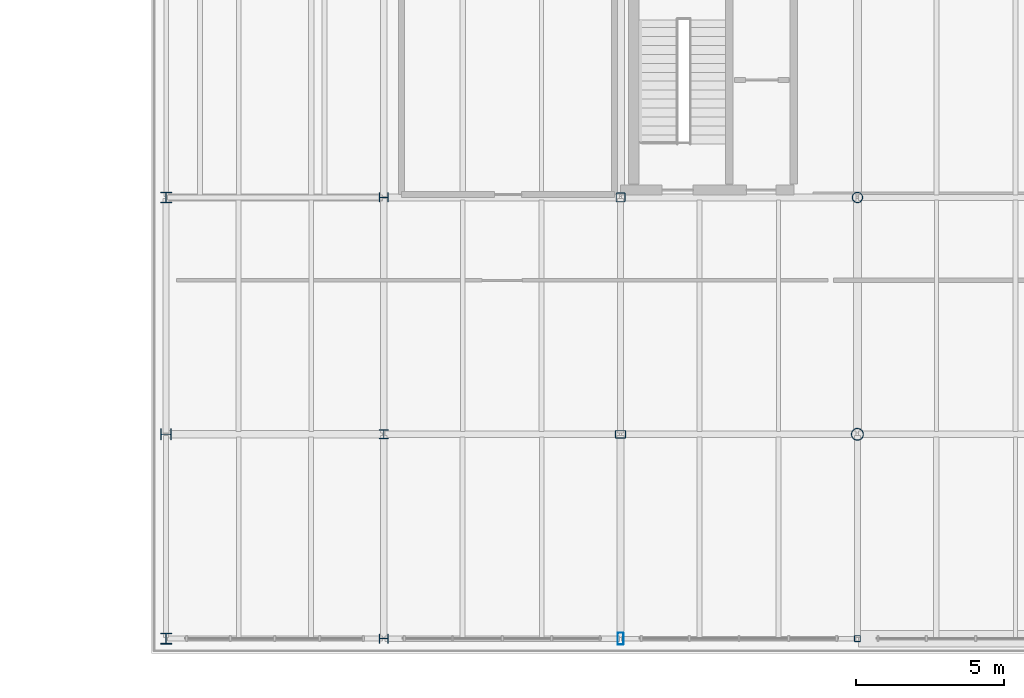
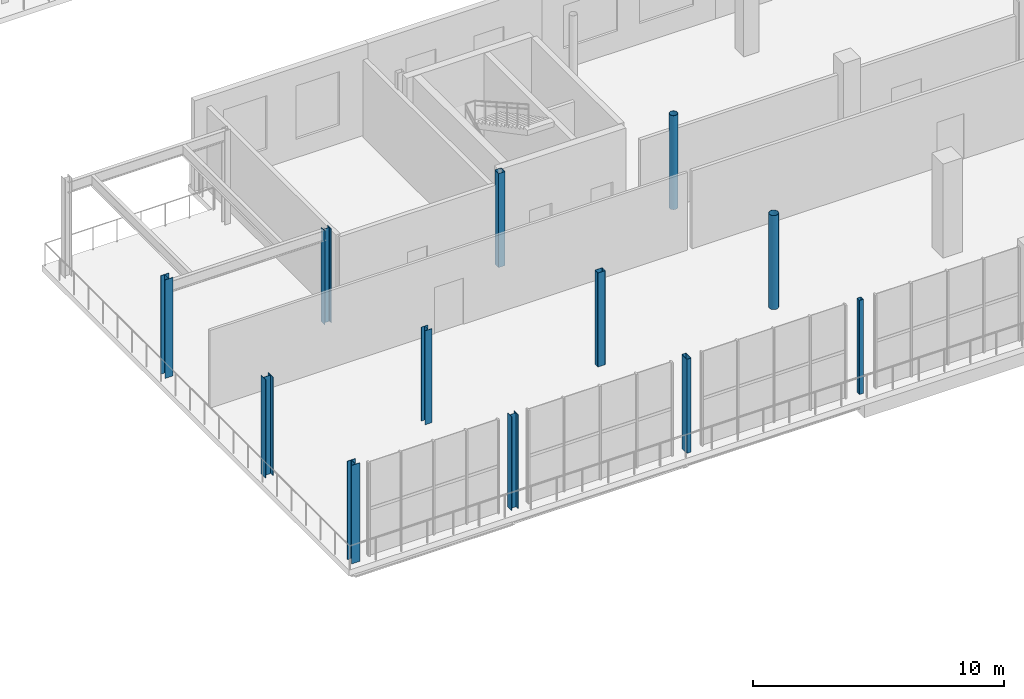
# One storey, part 9 of 70: 12 columns.
"""IFC4 building model written with IfcOpenShell, lengths in metres."""

from ifc_helpers import new_model, si_unit, direction, frame, origin, origin_2d, place, context, subcontext, project, spatial, hollow_rectangle, hollow_circle, i_section, extrude, material, material_profile, profile_set, type_object, element, save


model = new_model("IFC4")

# Units and contexts
model_context = context("Model", 3, precision=1e-05, world=origin(), true_north=direction((0.0, 1.0)))
body_context = subcontext(model_context, "Body", "Model", "MODEL_VIEW")
ifc_project = project(units=[si_unit("LENGTHUNIT", "METRE"), si_unit("AREAUNIT", "SQUARE_METRE"), si_unit("VOLUMEUNIT", "CUBIC_METRE"), si_unit("PLANEANGLEUNIT", "RADIAN"), si_unit("MASSUNIT", "GRAM", prefix="KILO")], contexts=[model_context])

# Site, building, storey
site_placement = place(None, origin())
site = spatial("IfcSite", under=ifc_project, at=site_placement, CompositionType="ELEMENT")
building_placement = place(site_placement, origin())
building = spatial("IfcBuilding", under=site, at=building_placement, Name="Brisemont Oceanarium", CompositionType="ELEMENT")
storey_placement = place(building_placement, frame((0.0, 0.0, 10.199951171875)))
storey = spatial("IfcBuildingStorey", under=building, at=storey_placement, Name="L02", CompositionType="ELEMENT", Elevation=10.199951171875)

# Columns
ifc_material_1 = material(Name="Structural Steel ASTM A500 Gr.C", Category="steel")
ifc_material_profile_1 = material_profile(ifc_material_1, hollow_circle(Radius=0.177978515625, WallThickness=0.01171875, at=origin_2d()), Name="HSS14.000X0.500")
ifc_profile_set_1 = profile_set([ifc_material_profile_1], Name="Structural Steel ASTM A500 Gr.C")
column_type_1 = type_object("IfcColumnType", Name="COL-CHS14", PredefinedType="COLUMN", material=ifc_profile_set_1)
column_1_placement = place(storey_placement, frame((136.0, 16.0, 0.0), z_axis=(0.0, 0.0, 1.0), x_axis=(0.0, 1.0, 0.0)))
element("IfcColumn", 1, at=column_1_placement, inside=storey, type_object=column_type_1, Name="V3 L02 column (3,2)", PredefinedType="COLUMN", context=body_context, shape_type="SweptSolid", body=[
    extrude(hollow_circle(Radius=0.177978515625, WallThickness=0.01171875, at=origin_2d()), origin(), (0.0, 0.0, 1.0), 4.580078125),
])
ifc_material_2 = material(Name="Structural Steel ASTM A500 Gr.C", Category="steel")
ifc_material_profile_2 = material_profile(ifc_material_2, hollow_circle(Radius=0.202880859375, WallThickness=0.01171875, at=origin_2d()), Name="HSS16.000X0.500")
ifc_profile_set_2 = profile_set([ifc_material_profile_2], Name="Structural Steel ASTM A500 Gr.C")
column_type_2 = type_object("IfcColumnType", Name="COL-CHS16", PredefinedType="COLUMN", material=ifc_profile_set_2)
column_2_placement = place(storey_placement, frame((136.0, 8.0, 0.0), z_axis=(0.0, 0.0, 1.0), x_axis=(1.0, 0.0, 0.0)))
element("IfcColumn", 2, at=column_2_placement, inside=storey, type_object=column_type_2, Name="V3 L02 column (3,1)", PredefinedType="COLUMN", context=body_context, shape_type="SweptSolid", body=[
    extrude(hollow_circle(Radius=0.202880859375, WallThickness=0.01171875, at=origin_2d()), origin(), (0.0, 0.0, 1.0), 4.580078125),
])
ifc_material_3 = material(Name="Structural Steel ASTM A500 Gr.C", Category="steel")
ifc_material_profile_3 = material_profile(ifc_material_3, hollow_rectangle(XDim=0.304931640625, YDim=0.304931640625, WallThickness=0.01171875, InnerFilletRadius=0.01220703125, OuterFilletRadius=0.02392578125, at=origin_2d()), Name="HSS12X12X1/2")
ifc_profile_set_3 = profile_set([ifc_material_profile_3], Name="Structural Steel ASTM A500 Gr.C")
column_type_3 = type_object("IfcColumnType", Name="COL-HSS12X12", PredefinedType="COLUMN", material=ifc_profile_set_3)
column_3_placement = place(storey_placement, frame((128.0, 16.0, 0.0), z_axis=(0.0, 0.0, 1.0), x_axis=(1.0, 0.0, 0.0)))
element("IfcColumn", 3, at=column_3_placement, inside=storey, type_object=column_type_3, Name="V3 L02 column (2,2)", PredefinedType="COLUMN", context=body_context, shape_type="SweptSolid", body=[
    extrude(hollow_rectangle(XDim=0.304931640625, YDim=0.304931640625, WallThickness=0.01171875, InnerFilletRadius=0.01220703125, OuterFilletRadius=0.02392578125, at=origin_2d()), origin(), (0.0, 0.0, 1.0), 4.580078125),
])
ifc_material_4 = material(Name="Structural Steel ASTM A500 Gr.C", Category="steel")
ifc_material_profile_4 = material_profile(ifc_material_4, hollow_rectangle(XDim=0.25390625, YDim=0.35595703125, WallThickness=0.01171875, InnerFilletRadius=0.01220703125, OuterFilletRadius=0.02392578125, at=origin_2d()), Name="HSS14X10X1/2")
ifc_profile_set_4 = profile_set([ifc_material_profile_4], Name="Structural Steel ASTM A500 Gr.C")
column_type_4 = type_object("IfcColumnType", Name="COL-HSS14X10", PredefinedType="COLUMN", material=ifc_profile_set_4)
column_4_placement = place(storey_placement, frame((128.0, 8.0, 0.0), z_axis=(0.0, 0.0, 1.0), x_axis=(0.0, 1.0, 0.0)))
element("IfcColumn", 4, at=column_4_placement, inside=storey, type_object=column_type_4, Name="V3 L02 column (2,1)", PredefinedType="COLUMN", context=body_context, shape_type="SweptSolid", body=[
    extrude(hollow_rectangle(XDim=0.25390625, YDim=0.35595703125, WallThickness=0.01171875, InnerFilletRadius=0.01220703125, OuterFilletRadius=0.02392578125, at=origin_2d()), origin(), (0.0, 0.0, 1.0), 4.580078125),
])
ifc_material_5 = material(Name="Structural Steel ASTM A500 Gr.C", Category="steel")
ifc_material_profile_5 = material_profile(ifc_material_5, hollow_rectangle(XDim=0.202880859375, YDim=0.406005859375, WallThickness=0.01171875, InnerFilletRadius=0.01220703125, OuterFilletRadius=0.02392578125, at=origin_2d()), Name="HSS16X8X1/2")
ifc_profile_set_5 = profile_set([ifc_material_profile_5], Name="Structural Steel ASTM A500 Gr.C")
column_type_5 = type_object("IfcColumnType", Name="COL-HSS16X8", PredefinedType="COLUMN", material=ifc_profile_set_5)
column_5_placement = place(storey_placement, frame((128.0, 1.10009765625, 0.0), z_axis=(0.0, 0.0, 1.0), x_axis=(1.0, 0.0, 0.0)))
element("IfcColumn", 5, at=column_5_placement, inside=storey, type_object=column_type_5, Name="V3 L02 column (2,0)", PredefinedType="COLUMN", context=body_context, shape_type="SweptSolid", body=[
    extrude(hollow_rectangle(XDim=0.202880859375, YDim=0.406005859375, WallThickness=0.01171875, InnerFilletRadius=0.01220703125, OuterFilletRadius=0.02392578125, at=origin_2d()), origin(), (0.0, 0.0, 1.0), 4.580078125),
])
ifc_material_6 = material(Name="Structural Steel ASTM A500 Gr.C", Category="steel")
ifc_material_profile_6 = material_profile(ifc_material_6, hollow_rectangle(XDim=0.202880859375, YDim=0.202880859375, WallThickness=0.0087890625, InnerFilletRadius=0.009033203125, OuterFilletRadius=0.01806640625, at=origin_2d()), Name="HSS8X8X3/8")
ifc_profile_set_6 = profile_set([ifc_material_profile_6], Name="Structural Steel ASTM A500 Gr.C")
column_type_6 = type_object("IfcColumnType", Name="COL-HSS8X8", PredefinedType="COLUMN", material=ifc_profile_set_6)
column_6_placement = place(storey_placement, frame((136.0, 1.10009765625, 0.0), z_axis=(0.0, 0.0, 1.0), x_axis=(0.0, 1.0, 0.0)))
element("IfcColumn", 6, at=column_6_placement, inside=storey, type_object=column_type_6, Name="V3 L02 column (3,0)", PredefinedType="COLUMN", context=body_context, shape_type="SweptSolid", body=[
    extrude(hollow_rectangle(XDim=0.202880859375, YDim=0.202880859375, WallThickness=0.0087890625, InnerFilletRadius=0.009033203125, OuterFilletRadius=0.01806640625, at=origin_2d()), origin(), (0.0, 0.0, 1.0), 4.580078125),
])
ifc_material_7 = material(Name="Structural Steel ASTM A992 Gr.50", Category="steel")
ifc_material_profile_7 = material_profile(ifc_material_7, i_section(OverallWidth=0.304931640625, OverallDepth=0.306884765625, WebThickness=0.010009765625, FlangeThickness=0.015380859375, FilletRadius=0.012939453125, at=origin_2d()), Name="W12X65")
ifc_profile_set_7 = profile_set([ifc_material_profile_7], Name="Structural Steel ASTM A992 Gr.50")
column_type_7 = type_object("IfcColumnType", Name="COL-W12X65", PredefinedType="COLUMN", material=ifc_profile_set_7)
column_7_placement = place(storey_placement, frame((120.0, 16.0, 0.0), z_axis=(0.0, 0.0, 1.0), x_axis=(0.0, 1.0, 0.0)))
element("IfcColumn", 7, at=column_7_placement, inside=storey, type_object=column_type_7, Name="V3 L02 column (1,2)", PredefinedType="COLUMN", context=body_context, shape_type="SweptSolid", body=[
    extrude(i_section(OverallWidth=0.304931640625, OverallDepth=0.306884765625, WebThickness=0.010009765625, FlangeThickness=0.015380859375, FilletRadius=0.012939453125, at=origin_2d()), origin(), (0.0, 0.0, 1.0), 4.580078125),
])
ifc_material_8 = material(Name="Structural Steel ASTM A992 Gr.50", Category="steel")
ifc_material_profile_8 = material_profile(ifc_material_8, i_section(OverallWidth=0.305908203125, OverallDepth=0.31103515625, WebThickness=0.010986328125, FlangeThickness=0.01708984375, FilletRadius=0.012939453125, at=origin_2d()), Name="W12X72")
ifc_profile_set_8 = profile_set([ifc_material_profile_8], Name="Structural Steel ASTM A992 Gr.50")
column_type_8 = type_object("IfcColumnType", Name="COL-W12X72", PredefinedType="COLUMN", material=ifc_profile_set_8)
column_8_placement = place(storey_placement, frame((120.0, 8.0, 0.0), z_axis=(0.0, 0.0, 1.0), x_axis=(1.0, 0.0, 0.0)))
element("IfcColumn", 8, at=column_8_placement, inside=storey, type_object=column_type_8, Name="V3 L02 column (1,1)", PredefinedType="COLUMN", context=body_context, shape_type="SweptSolid", body=[
    extrude(i_section(OverallWidth=0.305908203125, OverallDepth=0.31103515625, WebThickness=0.010986328125, FlangeThickness=0.01708984375, FilletRadius=0.012939453125, at=origin_2d()), origin(), (0.0, 0.0, 1.0), 4.580078125),
])
ifc_material_9 = material(Name="Structural Steel ASTM A992 Gr.50", Category="steel")
ifc_material_profile_9 = material_profile(ifc_material_9, i_section(OverallWidth=0.306884765625, OverallDepth=0.31494140625, WebThickness=0.011962890625, FlangeThickness=0.018798828125, FilletRadius=0.012939453125, at=origin_2d()), Name="W12X79")
ifc_profile_set_9 = profile_set([ifc_material_profile_9], Name="Structural Steel ASTM A992 Gr.50")
column_type_9 = type_object("IfcColumnType", Name="COL-W12X79", PredefinedType="COLUMN", material=ifc_profile_set_9)
column_9_placement = place(storey_placement, frame((120.0, 1.10009765625, 0.0), z_axis=(0.0, 0.0, 1.0), x_axis=(0.0, 1.0, 0.0)))
element("IfcColumn", 9, at=column_9_placement, inside=storey, type_object=column_type_9, Name="V3 L02 column (1,0)", PredefinedType="COLUMN", context=body_context, shape_type="SweptSolid", body=[
    extrude(i_section(OverallWidth=0.306884765625, OverallDepth=0.31494140625, WebThickness=0.011962890625, FlangeThickness=0.018798828125, FilletRadius=0.012939453125, at=origin_2d()), origin(), (0.0, 0.0, 1.0), 4.580078125),
])
ifc_material_10 = material(Name="Structural Steel ASTM A992 Gr.50", Category="steel")
ifc_material_profile_10 = material_profile(ifc_material_10, i_section(OverallWidth=0.37109375, OverallDepth=0.364013671875, WebThickness=0.01318359375, FlangeThickness=0.021728515625, FilletRadius=0.014892578125, at=origin_2d()), Name="W14X109")
ifc_profile_set_10 = profile_set([ifc_material_profile_10], Name="Structural Steel ASTM A992 Gr.50")
column_type_10 = type_object("IfcColumnType", Name="COL-W14X109", PredefinedType="COLUMN", material=ifc_profile_set_10)
column_10_placement = place(storey_placement, frame((112.64990234375, 1.10009765625, 0.0), z_axis=(0.0, 0.0, 1.0), x_axis=(1.0, 0.0, 0.0)))
element("IfcColumn", 10, at=column_10_placement, inside=storey, type_object=column_type_10, Name="V3 L02 column (0,0)", PredefinedType="COLUMN", context=body_context, shape_type="SweptSolid", body=[
    extrude(i_section(OverallWidth=0.37109375, OverallDepth=0.364013671875, WebThickness=0.01318359375, FlangeThickness=0.021728515625, FilletRadius=0.014892578125, at=origin_2d()), origin(), (0.0, 0.0, 1.0), 4.800048828125),
])
ifc_material_11 = material(Name="Structural Steel ASTM A992 Gr.50", Category="steel")
ifc_material_profile_11 = material_profile(ifc_material_11, i_section(OverallWidth=0.367919921875, OverallDepth=0.35595703125, WebThickness=0.01123046875, FlangeThickness=0.01806640625, FilletRadius=0.014892578125, at=origin_2d()), Name="W14X90")
ifc_profile_set_11 = profile_set([ifc_material_profile_11], Name="Structural Steel ASTM A992 Gr.50")
column_type_11 = type_object("IfcColumnType", Name="COL-W14X90", PredefinedType="COLUMN", material=ifc_profile_set_11)
column_11_placement = place(storey_placement, frame((112.64990234375, 16.0, 0.0), z_axis=(0.0, 0.0, 1.0), x_axis=(1.0, 0.0, 0.0)))
element("IfcColumn", 11, at=column_11_placement, inside=storey, type_object=column_type_11, Name="V3 L02 column (0,2)", PredefinedType="COLUMN", context=body_context, shape_type="SweptSolid", body=[
    extrude(i_section(OverallWidth=0.367919921875, OverallDepth=0.35595703125, WebThickness=0.01123046875, FlangeThickness=0.01806640625, FilletRadius=0.014892578125, at=origin_2d()), origin(), (0.0, 0.0, 1.0), 4.800048828125),
])
ifc_material_12 = material(Name="Structural Steel ASTM A992 Gr.50", Category="steel")
ifc_material_profile_12 = material_profile(ifc_material_12, i_section(OverallWidth=0.37109375, OverallDepth=0.361083984375, WebThickness=0.01220703125, FlangeThickness=0.019775390625, FilletRadius=0.014892578125, at=origin_2d()), Name="W14X99")
ifc_profile_set_12 = profile_set([ifc_material_profile_12], Name="Structural Steel ASTM A992 Gr.50")
column_type_12 = type_object("IfcColumnType", Name="COL-W14X99", PredefinedType="COLUMN", material=ifc_profile_set_12)
column_12_placement = place(storey_placement, frame((112.64990234375, 8.0, 0.0), z_axis=(0.0, 0.0, 1.0), x_axis=(0.0, 1.0, 0.0)))
element("IfcColumn", 12, at=column_12_placement, inside=storey, type_object=column_type_12, Name="V3 L02 column (0,1)", PredefinedType="COLUMN", context=body_context, shape_type="SweptSolid", body=[
    extrude(i_section(OverallWidth=0.37109375, OverallDepth=0.361083984375, WebThickness=0.01220703125, FlangeThickness=0.019775390625, FilletRadius=0.014892578125, at=origin_2d()), origin(), (0.0, 0.0, 1.0), 4.800048828125),
])

save(model, "model.ifc")
